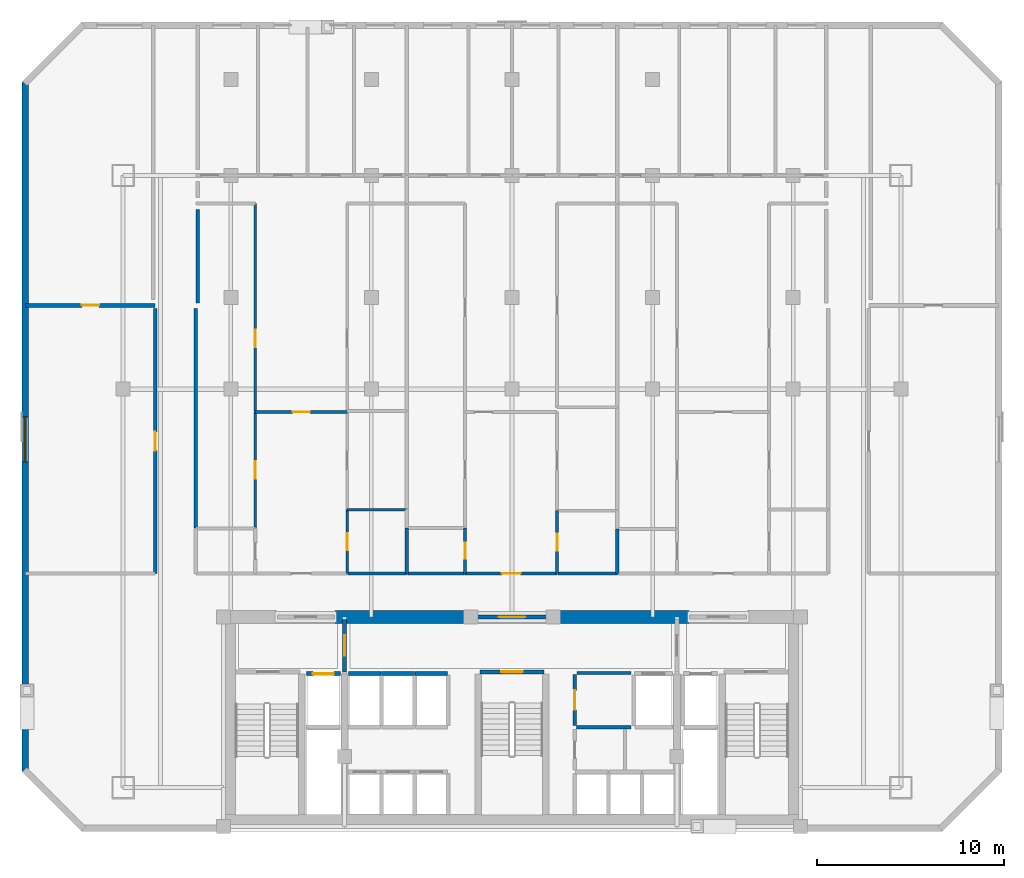
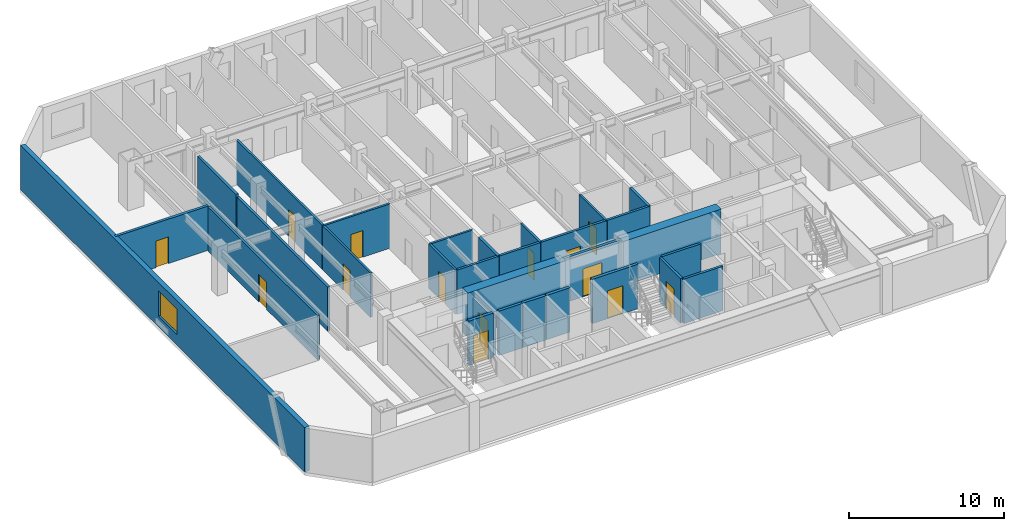
# One storey, part 3 of 8: 30 walls, 14 doors, 1 window, 15 openings.
"""IFC4 building model written with IfcOpenShell, lengths in metres."""

import ifcopenshell
import ifcopenshell.guid

model = None  # the IFC model being written
_history = None  # IfcOwnerHistory: only IFC2X3 demands one
_inside = {}  # id of a spatial element -> (the spatial element, [elements in it])
_under = {}  # id of a project, library or spatial element -> (it, [spatial elements below it])
_declared = {}  # id of a project -> (the project, [libraries it declares])
_typed = {}  # id of a type object -> (the type object, [elements of that type])
_made_of = {}  # id of a material, layer set ... -> (it, [elements and type objects made of it])


def new_model(schema):
    """Start an empty IFC model of exactly this schema.

    Asked for "IFC4X3", IfcOpenShell would pick the latest addendum, in which some entities
    have other attributes; the version numbers below select the first issue.
    IFC2X3 requires an IfcOwnerHistory on every rooted entity: one is made here for all.
    """
    global model, _history
    if schema == "IFC4X3":
        model = ifcopenshell.file(schema_version=(4, 3, 0, 0))
    else:
        model = ifcopenshell.file(schema=schema)
    _inside.clear()
    _under.clear()
    _declared.clear()
    _typed.clear()
    _made_of.clear()
    _history = None
    if model.schema == "IFC2X3":
        org = make("IfcOrganization", Name="unknown")
        user = make(
            "IfcPersonAndOrganization",
            ThePerson=make("IfcPerson", FamilyName="unknown"),
            TheOrganization=org,
        )
        app = make(
            "IfcApplication",
            ApplicationDeveloper=org,
            Version="unknown",
            ApplicationFullName="unknown",
            ApplicationIdentifier="unknown",
        )
        _history = make(
            "IfcOwnerHistory",
            OwningUser=user,
            OwningApplication=app,
            ChangeAction="ADDED",
            CreationDate=0,
        )
    return model


def make(cls, **values):
    """One entity of the class cls with the attributes given. An attribute that is None is left unset."""
    return model.create_entity(
        cls, **{name: value for name, value in values.items() if value is not None}
    )


def rooted(cls, **values):
    """An entity with a GlobalId (a new one), such as an element, a storey or a relation."""
    return make(cls, GlobalId=ifcopenshell.guid.new(), OwnerHistory=_history, **values)


def si_unit(unit_type, name, prefix=None):
    """IfcSIUnit, for example si_unit("LENGTHUNIT", "METRE", prefix="MILLI")."""
    return make("IfcSIUnit", UnitType=unit_type, Prefix=prefix, Name=name)


def assignment(units):
    """IfcUnitAssignment: the units of a project."""
    return None if units is None else make("IfcUnitAssignment", Units=units)


def point(xyz):
    """IfcCartesianPoint."""
    return None if xyz is None else make("IfcCartesianPoint", Coordinates=xyz)


def direction(xyz):
    """IfcDirection."""
    return None if xyz is None else make("IfcDirection", DirectionRatios=xyz)


def frame(location, z_axis=None, x_axis=None):
    """IfcAxis2Placement3D, a coordinate frame: its origin and axes. An axis left out is left unset."""
    return make(
        "IfcAxis2Placement3D",
        Location=point(location),
        Axis=direction(z_axis),
        RefDirection=direction(x_axis),
    )


def frame_2d(location, x_axis=None):
    """IfcAxis2Placement2D, a coordinate frame in the plane: its origin and x axis."""
    return make(
        "IfcAxis2Placement2D", Location=point(location), RefDirection=direction(x_axis)
    )


def origin():
    """The frame at (0, 0, 0) with its axes left unset."""
    return frame((0.0, 0.0, 0.0))


def place(relative_to, where):
    """IfcLocalPlacement: puts the frame where relative to a parent placement (None: the world)."""
    return make(
        "IfcLocalPlacement", PlacementRelTo=relative_to, RelativePlacement=where
    )


def context(
    kind, dimensions, precision=None, world=None, true_north=None, identifier=None
):
    """IfcGeometricRepresentationContext, for example the 3D "Model" context."""
    return make(
        "IfcGeometricRepresentationContext",
        ContextIdentifier=identifier,
        ContextType=kind,
        CoordinateSpaceDimension=dimensions,
        Precision=precision,
        WorldCoordinateSystem=world,
        TrueNorth=true_north,
    )


def subcontext(parent, identifier, kind, view, scale=None):
    """IfcGeometricRepresentationSubContext, for example "Body" below "Model"."""
    return make(
        "IfcGeometricRepresentationSubContext",
        ContextIdentifier=identifier,
        ContextType=kind,
        ParentContext=parent,
        TargetScale=scale,
        TargetView=view,
    )


def project(units=None, contexts=None):
    """IfcProject with its units and contexts."""
    return rooted(
        "IfcProject",
        Name="project",
        RepresentationContexts=contexts,
        UnitsInContext=assignment(units),
    )


def spatial(cls, under=None, at=None, **own):
    """A site, building, storey or space (cls), placed at a placement, below another one or the project."""
    s = rooted(cls, ObjectPlacement=at, **own)
    if under is not None:
        _under.setdefault(under.id(), (under, []))[1].append(s)
    return s


def profile(cls, at=None, kind="AREA", **sizes):
    """A parametric profile (cls). Its sizes go by their IFC names, for example OverallWidth=200.0."""
    return make(cls, ProfileType=kind, Position=at, **sizes)


def rectangle(**sizes):
    """IfcRectangleProfileDef."""
    return profile("IfcRectangleProfileDef", **sizes)


def extrude(swept, where, along, depth):
    """IfcExtrudedAreaSolid: the profile swept, set in the frame where, extruded along a direction by depth."""
    return make(
        "IfcExtrudedAreaSolid",
        SweptArea=swept,
        Position=where,
        ExtrudedDirection=direction(along),
        Depth=depth,
    )


def shape(context_of_items, identifier, shape_type, items):
    """IfcShapeRepresentation: the items that make up one representation, for example the "Body"."""
    return make(
        "IfcShapeRepresentation",
        ContextOfItems=context_of_items,
        RepresentationIdentifier=identifier,
        RepresentationType=shape_type,
        Items=items,
    )


def material(Name=None, Category=None):
    """IfcMaterial."""
    return make("IfcMaterial", Name=Name, Category=Category)


def layer(
    of_material, thickness, ventilated=None, Name=None, Category=None, Priority=None
):
    """IfcMaterialLayer: one layer of a wall or slab, of a material (None: an air gap)."""
    return make(
        "IfcMaterialLayer",
        Material=of_material,
        LayerThickness=thickness,
        IsVentilated=ventilated,
        Name=Name,
        Category=Category,
        Priority=Priority,
    )


def layer_set(layers, Name=None):
    """IfcMaterialLayerSet."""
    return make("IfcMaterialLayerSet", MaterialLayers=layers, LayerSetName=Name)


def made_of(thing, what):
    """Note that an element or type object is made of a material, layer set ...; save() writes the relation."""
    if what is not None:
        _made_of.setdefault(what.id(), (what, []))[1].append(thing)
    return thing


def type_object(cls, material=None, **own):
    """A type object (cls), such as IfcWallType, which elements share."""
    return made_of(rooted(cls, **own), material)


def element(
    cls,
    number,
    at=None,
    inside=None,
    cuts=None,
    type_object=None,
    material=None,
    context=None,
    identifier="Body",
    shape_type=None,
    held_by="IfcProductDefinitionShape",
    body=None,
    shapes=None,
    **own,
):
    """One element of the class cls, such as IfcWall. Its Tag is "e" and its number.

    at: its placement. inside: the storey or other place that contains it. cuts: it is an
    opening in that element (IfcRelVoidsElement). A single representation is given by context,
    identifier, shape_type and body (its items); several are given by shapes. held_by: the class
    of the entity that holds the representations. save() writes the other relations.
    """
    e = rooted(cls, Tag="e%d" % number, ObjectPlacement=at, **own)
    if body is not None:
        shapes = [shape(context, identifier, shape_type, body)]
    if shapes is not None:
        e.Representation = make(held_by, Representations=shapes)
    if inside is not None:
        _inside.setdefault(inside.id(), (inside, []))[1].append(e)
    if cuts is not None:
        rooted(
            "IfcRelVoidsElement", RelatingBuildingElement=cuts, RelatedOpeningElement=e
        )
    if type_object is not None:
        _typed.setdefault(type_object.id(), (type_object, []))[1].append(e)
    return made_of(e, material)


def fill(opening, filler):
    """IfcRelFillsElement: the door or window that sits in an opening."""
    return rooted(
        "IfcRelFillsElement",
        RelatingOpeningElement=opening,
        RelatedBuildingElement=filler,
    )


def aggregate(whole, parts):
    """IfcRelAggregates: a whole, such as a stair, and the parts it consists of."""
    return rooted("IfcRelAggregates", RelatingObject=whole, RelatedObjects=parts)


def save(model, path):
    """Write the relations noted so far, then the file.

    IfcRelAggregates (storeys below a building ...), IfcRelContainedInSpatialStructure (elements
    in a storey), IfcRelDefinesByType, IfcRelAssociatesMaterial and IfcRelDeclares: one each for
    every whole, place, type object, material and project.
    """
    for whole, parts in _under.values():
        aggregate(whole, parts)
    for where, things in _inside.values():
        rooted(
            "IfcRelContainedInSpatialStructure",
            RelatedElements=things,
            RelatingStructure=where,
        )
    for kind, things in _typed.values():
        rooted("IfcRelDefinesByType", RelatedObjects=things, RelatingType=kind)
    for what, things in _made_of.values():
        rooted("IfcRelAssociatesMaterial", RelatedObjects=things, RelatingMaterial=what)
    for by, libraries in _declared.values():
        rooted("IfcRelDeclares", RelatingContext=by, RelatedDefinitions=libraries)
    model.write(path)


model = new_model("IFC4")

# Units and contexts
model_context = context("Model", 3, precision=1e-05, world=origin(), true_north=direction((0.0, 1.0)))
body_context = subcontext(model_context, "Body", "Model", "MODEL_VIEW")
ifc_project = project(units=[si_unit("LENGTHUNIT", "METRE"), si_unit("AREAUNIT", "SQUARE_METRE"), si_unit("VOLUMEUNIT", "CUBIC_METRE"), si_unit("PLANEANGLEUNIT", "RADIAN"), si_unit("MASSUNIT", "GRAM", prefix="KILO")], contexts=[model_context])

# Site, building, storey
site_placement = place(None, origin())
site = spatial("IfcSite", under=ifc_project, at=site_placement, CompositionType="ELEMENT")
building_placement = place(site_placement, origin())
building = spatial("IfcBuilding", under=site, at=building_placement, Name="Ventersveld Concourse Tower", CompositionType="ELEMENT")
storey_placement = place(building_placement, frame((0.0, 0.0, 131.10009765625)))
storey = spatial("IfcBuildingStorey", under=building, at=storey_placement, Name="L32", CompositionType="ELEMENT", Elevation=131.10009765625)

# Walls
ifc_material_1 = material(Name="Concrete C60/75", Category="concrete")
ifc_layer_1 = layer(ifc_material_1, 0.699951171875)
ifc_layer_set_1 = layer_set([ifc_layer_1], Name="Concrete C60/75")
wall_type_1 = type_object("IfcWallType", Name="WL-CORE-700", PredefinedType="SHEAR", material=ifc_layer_set_1)
for number, where, z_axis, x_axis, name in (
    (1, (19.300048828125, 11.449951171875, 0.0), (0.0, 0.0, 1.0), (1.0, 0.0, 0.0), "L32 Rear Core North Shear Wall NML"),
    (2, (30.89990234375, 11.449951171875, 0.0), (0.0, 0.0, 1.0), (1.0, 0.0, 0.0), "L32 Rear Core North Shear Wall NMR"),
):
    element("IfcWall", number, at=place(storey_placement, frame(where, z_axis=z_axis, x_axis=x_axis)), inside=storey, type_object=wall_type_1, Name=name, PredefinedType="SHEAR", context=body_context, shape_type="SweptSolid", body=[
        extrude(rectangle(XDim=7.300048828125, YDim=0.699951171875, at=frame_2d((3.64990234375, 0.0))), origin(), (0.0, 0.0, 1.0), 3.5),
    ])

# Wall, opening, door
ifc_material_2 = material(Name="Fire-rated autoclaved aerated masonry blockwork", Category="masonry")
ifc_layer_2 = layer(ifc_material_2, 0.179931640625)
ifc_layer_set_2 = layer_set([ifc_layer_2], Name="Fire-rated autoclaved aerated masonry blockwork")
wall_type_2 = type_object("IfcWallType", Name="WL-CORR-180", PredefinedType="PARTITIONING", material=ifc_layer_set_2)
wall_1_placement = place(storey_placement, frame((32.10009765625, 5.64990234375, 0.0), z_axis=(0.0, 0.0, 1.0), x_axis=(0.0, 1.0, 0.0)))
wall_1 = element("IfcWall", 3, at=wall_1_placement, inside=storey, type_object=wall_type_2, Name="L32 Core Passage Wall SP-L32-CBAY1", PredefinedType="PARTITIONING", context=body_context, shape_type="SweptSolid", body=[
    extrude(rectangle(XDim=2.72998046875, YDim=0.179931640625, at=frame_2d((1.364990234375, 0.0))), origin(), (0.0, 0.0, 1.0), 3.5),
])
opening_1_placement = place(wall_1_placement, frame((0.840087890625, 0.0, 0.0)))
opening_1 = element("IfcOpeningElement", 4, at=opening_1_placement, cuts=wall_1, Name="Opening ID3", PredefinedType="OPENING", context=body_context, shape_type="SweptSolid", body=[
    extrude(rectangle(XDim=1.050048828125, YDim=2.14990234375, at=frame_2d((0.52490234375, 1.074951171875))), frame((0.0, 0.10009765625, 0.0), z_axis=(0.0, -1.0, 0.0), x_axis=(1.0, 0.0, 0.0)), (0.0, 0.0, 1.0), 0.199951171875),
])
ifc_material_3 = material(Name="Solid-core hardwood veneer timber", Category="wood")
door_type_1 = type_object("IfcDoorType", Name="DR-AWC-105", OperationType="NOTDEFINED", PredefinedType="DOOR", material=ifc_material_3)
door_1_placement = place(opening_1_placement, origin())
door_1 = element("IfcDoor", 5, at=door_1_placement, inside=storey, type_object=door_type_1, Name="L32 Core Room Door L32 Core Unisex Accessible WC (CD-L32-1592)", OperationType="SINGLE_SWING_LEFT", OverallHeight=2.14990234375, OverallWidth=1.050048828125, PredefinedType="DOOR", context=body_context, shape_type="SweptSolid", body=[
    extrude(rectangle(XDim=1.050048828125, YDim=2.14990234375, at=frame_2d((0.52490234375, 1.074951171875))), frame((0.0, 0.02490234375, 0.0), z_axis=(0.0, -1.0, 0.0), x_axis=(1.0, 0.0, 0.0)), (0.0, 0.0, 1.0), 0.050048828125),
])
fill(opening_1, door_1)

# Walls
wall_2_placement = place(storey_placement, frame((32.219970703125, 8.4599609375, 0.0), z_axis=(0.0, 0.0, 1.0), x_axis=(1.0, 0.0, 0.0)))
element("IfcWall", 6, at=wall_2_placement, inside=storey, type_object=wall_type_2, Name="L32 Core Top Wall SP-L32-CBAY1", PredefinedType="PARTITIONING", context=body_context, shape_type="SweptSolid", body=[
    extrude(rectangle(XDim=2.880126953125, YDim=0.179931640625, at=frame_2d((1.43994140625, 0.0))), origin(), (0.0, 0.0, 1.0), 3.5),
])
wall_3_placement = place(storey_placement, frame((32.179931640625, 5.570068359375, 0.0), z_axis=(0.0, 0.0, 1.0), x_axis=(1.0, 0.0, 0.0)))
element("IfcWall", 7, at=wall_3_placement, inside=storey, type_object=wall_type_2, Name="L32 Core Bot Wall SP-L32-CBAY1", PredefinedType="PARTITIONING", context=body_context, shape_type="SweptSolid", body=[
    extrude(rectangle(XDim=2.920166015625, YDim=0.179931640625, at=frame_2d((1.4599609375, 0.0))), origin(), (0.0, 0.0, 1.0), 3.5),
])

# Wall, opening, door
wall_4_placement = place(storey_placement, frame((9.7099609375, 13.764892578125, 0.0), z_axis=(0.0, 0.0, 1.0), x_axis=(0.0, 1.0, 0.0)))
wall_4 = element("IfcWall", 8, at=wall_4_placement, inside=storey, type_object=wall_type_2, Name="L32 Interior Partition SP-L32-COR-SP-L32-NWLNG1", PredefinedType="PARTITIONING", context=body_context, shape_type="SweptSolid", body=[
    extrude(rectangle(XDim=14.130126953125, YDim=0.179931640625, at=frame_2d((7.06494140625, 0.0))), origin(), (0.0, 0.0, 1.0), 3.5),
])
opening_2_placement = place(wall_4_placement, frame((6.56494140625, 0.0, 0.0)))
opening_2 = element("IfcOpeningElement", 9, at=opening_2_placement, cuts=wall_4, Name="Opening FD3", PredefinedType="OPENING", context=body_context, shape_type="SweptSolid", body=[
    extrude(rectangle(XDim=1.0, YDim=2.14990234375, at=frame_2d((0.5, 1.074951171875))), frame((0.0, 0.10009765625, 0.0), z_axis=(0.0, -1.0, 0.0), x_axis=(1.0, 0.0, 0.0)), (0.0, 0.0, 1.0), 0.199951171875),
])
door_type_2 = type_object("IfcDoorType", Name="DR-FLAT-100", OperationType="NOTDEFINED", PredefinedType="DOOR", material=ifc_material_3)
door_2_placement = place(opening_2_placement, origin())
door_2 = element("IfcDoor", 10, at=door_2_placement, inside=storey, type_object=door_type_2, Name="L32 Interior Door SP-L32-COR to SP-L32-NWLNG1 (D-L32-1594)", OperationType="SINGLE_SWING_RIGHT", OverallHeight=2.14990234375, OverallWidth=1.0, PredefinedType="DOOR", context=body_context, shape_type="SweptSolid", body=[
    extrude(rectangle(XDim=1.0, YDim=2.14990234375, at=frame_2d((0.5, 1.074951171875))), frame((0.0, 0.02490234375, 0.0), z_axis=(0.0, -1.0, 0.0), x_axis=(1.0, 0.0, 0.0)), (0.0, 0.0, 1.0), 0.050048828125),
])
fill(opening_2, door_2)

# Walls
wall_5_placement = place(storey_placement, frame((11.889892578125, 16.1953125, 0.0), z_axis=(0.0, 0.0, 1.0), x_axis=(0.0, 1.0, 0.0)))
element("IfcWall", 11, at=wall_5_placement, inside=storey, type_object=wall_type_2, Name="L32 Interior Partition SP-L32-COR-SP-L32-32N1-OFFL0", PredefinedType="PARTITIONING", context=body_context, shape_type="SweptSolid", body=[
    extrude(rectangle(XDim=11.69970703125, YDim=0.179931640625, at=frame_2d((5.849853515625, 0.0))), origin(), (0.0, 0.0, 1.0), 3.5),
])
wall_6_placement = place(storey_placement, frame((19.998779296875, 13.77001953125, 0.0), z_axis=(0.0, 0.0, 1.0), x_axis=(1.0, 0.0, 0.0)))
element("IfcWall", 12, at=wall_6_placement, inside=storey, type_object=wall_type_2, Name="L32 Interior Partition SP-L32-COR-SP-L32-32N1-KIT", PredefinedType="PARTITIONING", context=body_context, shape_type="SweptSolid", body=[
    extrude(rectangle(XDim=3.13623046875, YDim=0.179931640625, at=frame_2d((1.568115234375, 0.0))), origin(), (0.0, 0.0, 1.0), 3.5),
])

# Wall, opening, door
wall_7_placement = place(storey_placement, frame((26.2451171875, 13.77001953125, 0.0), z_axis=(0.0, 0.0, 1.0), x_axis=(1.0, 0.0, 0.0)))
wall_7 = element("IfcWall", 13, at=wall_7_placement, inside=storey, type_object=wall_type_2, Name="L32 Interior Partition SP-L32-COR-SP-L32-32N2-FOY", PredefinedType="PARTITIONING", context=body_context, shape_type="SweptSolid", body=[
    extrude(rectangle(XDim=4.917724609375, YDim=0.179931640625, at=frame_2d((2.458984375, 0.0))), origin(), (0.0, 0.0, 1.0), 3.5),
])
opening_3_placement = place(wall_7_placement, frame((1.958740234375, 0.0, 0.0)))
opening_3 = element("IfcOpeningElement", 14, at=opening_3_placement, cuts=wall_7, Name="Opening FD3", PredefinedType="OPENING", context=body_context, shape_type="SweptSolid", body=[
    extrude(rectangle(XDim=1.0, YDim=2.14990234375, at=frame_2d((0.5, 1.074951171875))), frame((0.0, 0.10009765625, 0.0), z_axis=(0.0, -1.0, 0.0), x_axis=(1.0, 0.0, 0.0)), (0.0, 0.0, 1.0), 0.199951171875),
])
door_3_placement = place(opening_3_placement, origin())
door_3 = element("IfcDoor", 15, at=door_3_placement, inside=storey, type_object=door_type_2, Name="L32 Interior Door SP-L32-COR to SP-L32-32N2-FOY (FD-L32-1597)", OperationType="SINGLE_SWING_LEFT", OverallHeight=2.14990234375, OverallWidth=1.0, PredefinedType="DOOR", context=body_context, shape_type="SweptSolid", body=[
    extrude(rectangle(XDim=1.0, YDim=2.14990234375, at=frame_2d((0.5, 1.074951171875))), frame((0.0, 0.02490234375, 0.0), z_axis=(0.0, -1.0, 0.0), x_axis=(1.0, 0.0, 0.0)), (0.0, 0.0, 1.0), 0.050048828125),
])
fill(opening_3, door_3)

# Walls
wall_8_placement = place(storey_placement, frame((23.1650390625, 13.77001953125, 0.0), z_axis=(0.0, 0.0, 1.0), x_axis=(1.0, 0.0, 0.0)))
element("IfcWall", 16, at=wall_8_placement, inside=storey, type_object=wall_type_2, Name="L32 Interior Partition SP-L32-COR-SP-L32-32N2-BATH", PredefinedType="PARTITIONING", context=body_context, shape_type="SweptSolid", body=[
    extrude(rectangle(XDim=3.050048828125, YDim=0.179931640625, at=frame_2d((1.52490234375, 0.0))), origin(), (0.0, 0.0, 1.0), 3.5),
])
wall_9_placement = place(storey_placement, frame((31.19287109375, 13.77001953125, 0.0), z_axis=(0.0, 0.0, 1.0), x_axis=(1.0, 0.0, 0.0)))
element("IfcWall", 17, at=wall_9_placement, inside=storey, type_object=wall_type_2, Name="L32 Interior Partition SP-L32-COR-SP-L32-32N2-KIT", PredefinedType="PARTITIONING", context=body_context, shape_type="SweptSolid", body=[
    extrude(rectangle(XDim=3.18212890625, YDim=0.179931640625, at=frame_2d((1.591064453125, 0.0))), origin(), (0.0, 0.0, 1.0), 3.5),
])
wall_10_placement = place(storey_placement, frame((11.97998046875, 28.2099609375, 0.0), z_axis=(0.0, 0.0, 1.0), x_axis=(0.0, 1.0, 0.0)))
element("IfcWall", 18, at=wall_10_placement, inside=storey, type_object=wall_type_2, Name="L32 Room Enclosure Wall SP-L32-32N1-OFFL0", PredefinedType="PARTITIONING", context=body_context, shape_type="SweptSolid", body=[
    extrude(rectangle(XDim=4.965087890625, YDim=0.179931640625, at=frame_2d((2.482421875, 0.0))), origin(), (0.0, 0.0, 1.0), 3.5),
])

# Wall, opening, door
ifc_layer_3 = layer(ifc_material_2, 0.199951171875)
ifc_layer_set_3 = layer_set([ifc_layer_3], Name="Fire-rated autoclaved aerated masonry blockwork")
wall_type_3 = type_object("IfcWallType", Name="WL-DEMISE-200", PredefinedType="PARTITIONING", material=ifc_layer_set_3)
wall_11_placement = place(storey_placement, frame((2.81005859375, 28.070068359375, 0.0), z_axis=(0.0, 0.0, 1.0), x_axis=(1.0, 0.0, 0.0)))
wall_11 = element("IfcWall", 19, at=wall_11_placement, inside=storey, type_object=wall_type_3, Name="L32 Interior Partition SP-L32-NWLNG1-SP-L32-NWLNG2", PredefinedType="PARTITIONING", context=body_context, shape_type="SweptSolid", body=[
    extrude(rectangle(XDim=6.905029296875, YDim=0.199951171875, at=frame_2d((3.45263671875, 0.0))), origin(), (0.0, 0.0, 1.0), 3.5),
])
opening_4_placement = place(wall_11_placement, frame((2.992431640625, 0.0, 0.0)))
opening_4 = element("IfcOpeningElement", 20, at=opening_4_placement, cuts=wall_11, Name="Opening ID1", PredefinedType="OPENING", context=body_context, shape_type="SweptSolid", body=[
    extrude(rectangle(XDim=0.919921875, YDim=2.10009765625, at=frame_2d((0.4599609375, 1.050048828125))), frame((0.0, 0.10986328125, 0.0), z_axis=(0.0, -1.0, 0.0), x_axis=(1.0, 0.0, 0.0)), (0.0, 0.0, 1.0), 0.219970703125),
])
door_type_3 = type_object("IfcDoorType", Name="DR-ROOM-092", OperationType="NOTDEFINED", PredefinedType="DOOR", material=ifc_material_3)
door_4_placement = place(opening_4_placement, origin())
door_4 = element("IfcDoor", 21, at=door_4_placement, inside=storey, type_object=door_type_3, Name="L32 Interior Door SP-L32-NWLNG1 to SP-L32-NWLNG2 (D-L32-1599)", OperationType="SINGLE_SWING_LEFT", OverallHeight=2.10009765625, OverallWidth=0.919921875, PredefinedType="DOOR", context=body_context, shape_type="SweptSolid", body=[
    extrude(rectangle(XDim=0.919921875, YDim=2.10009765625, at=frame_2d((0.4599609375, 1.050048828125))), frame((0.0, 0.02490234375, 0.0), z_axis=(0.0, -1.0, 0.0), x_axis=(1.0, 0.0, 0.0)), (0.0, 0.0, 1.0), 0.050048828125),
])
fill(opening_4, door_4)

# Walls
wall_12_placement = place(storey_placement, frame((23.1298828125, 13.764892578125, 0.0), z_axis=(0.0, 0.0, 1.0), x_axis=(0.0, 1.0, 0.0)))
element("IfcWall", 22, at=wall_12_placement, inside=storey, type_object=wall_type_3, Name="L32 Interior Partition SP-L32-32N1-KIT-SP-L32-32N2-BATH", PredefinedType="PARTITIONING", context=body_context, shape_type="SweptSolid", body=[
    extrude(rectangle(XDim=2.434814453125, YDim=0.199951171875, at=frame_2d((1.21728515625, 0.0))), origin(), (0.0, 0.0, 1.0), 3.5),
])
wall_13_placement = place(storey_placement, frame((34.3701171875, 13.764892578125, 0.0), z_axis=(0.0, 0.0, 1.0), x_axis=(0.0, 1.0, 0.0)))
element("IfcWall", 23, at=wall_13_placement, inside=storey, type_object=wall_type_3, Name="L32 Interior Partition SP-L32-32N2-KIT-SP-L32-32N3-BATH", PredefinedType="PARTITIONING", context=body_context, shape_type="SweptSolid", body=[
    extrude(rectangle(XDim=2.38330078125, YDim=0.199951171875, at=frame_2d((1.191650390625, 0.0))), origin(), (0.0, 0.0, 1.0), 3.5),
])

# Wall, opening, door
ifc_layer_4 = layer(ifc_material_2, 0.219970703125)
ifc_layer_set_4 = layer_set([ifc_layer_4], Name="Fire-rated autoclaved aerated masonry blockwork")
wall_type_4 = type_object("IfcWallType", Name="WL-HOIST-220", PredefinedType="SOLIDWALL", material=ifc_layer_set_4)
wall_14_placement = place(storey_placement, frame((17.780029296875, 8.429931640625, 0.0), z_axis=(0.0, 0.0, 1.0), x_axis=(1.0, 0.0, 0.0)))
wall_14 = element("IfcWall", 24, at=wall_14_placement, inside=storey, type_object=wall_type_4, Name="L32 Lift Hoistway Front Wall FFL-01", PredefinedType="SOLIDWALL", context=body_context, shape_type="SweptSolid", body=[
    extrude(rectangle(XDim=1.820068359375, YDim=0.219970703125, at=frame_2d((0.91015625, 0.0))), origin(), (0.0, 0.0, 1.0), 3.5),
])
opening_5_placement = place(wall_14_placement, frame((0.35009765625, 0.0, 0.0)))
opening_5 = element("IfcOpeningElement", 25, at=opening_5_placement, cuts=wall_14, Name="Opening LD1", PredefinedType="OPENING", context=body_context, shape_type="SweptSolid", body=[
    extrude(rectangle(XDim=1.1201171875, YDim=2.25, at=frame_2d((0.56005859375, 1.125))), frame((0.0, 0.1201171875, 0.0), z_axis=(0.0, -1.0, 0.0), x_axis=(1.0, 0.0, 0.0)), (0.0, 0.0, 1.0), 0.239990234375),
])
ifc_material_4 = material(Name="Brushed stainless steel 316", Category="steel")
door_type_4 = type_object("IfcDoorType", Name="LD-FF-112", OperationType="SLIDING_TO_LEFT", PredefinedType="DOOR", material=ifc_material_4)
door_5_placement = place(opening_5_placement, origin())
door_5 = element("IfcDoor", 26, at=door_5_placement, inside=storey, type_object=door_type_4, Name="L32 Lift landing door FFL-01 (LD-L32-FFL-01)", OperationType="SLIDING_TO_LEFT", OverallHeight=2.25, OverallWidth=1.1201171875, PredefinedType="DOOR", context=body_context, shape_type="SweptSolid", body=[
    extrude(rectangle(XDim=1.1201171875, YDim=2.25, at=frame_2d((0.56005859375, 1.125))), frame((0.0, 0.02490234375, 0.0), z_axis=(0.0, -1.0, 0.0), x_axis=(1.0, 0.0, 0.0)), (0.0, 0.0, 1.0), 0.050048828125),
])
fill(opening_5, door_5)

# Walls
for number, where, z_axis, x_axis, name in (
    (27, (20.02001953125, 8.429931640625, 0.0), (0.0, 0.0, 1.0), (1.0, 0.0, 0.0), "L32 Lift Hoistway Front Wall PH-01"),
    (28, (21.800048828125, 8.429931640625, 0.0), (0.0, 0.0, 1.0), (1.0, 0.0, 0.0), "L32 Lift Hoistway Front Wall PH-02"),
    (29, (23.580078125, 8.429931640625, 0.0), (0.0, 0.0, 1.0), (1.0, 0.0, 0.0), "L32 Lift Hoistway Front Wall PH-03"),
):
    element("IfcWall", number, at=place(storey_placement, frame(where, z_axis=z_axis, x_axis=x_axis)), inside=storey, type_object=wall_type_4, Name=name, PredefinedType="SOLIDWALL", context=body_context, shape_type="SweptSolid", body=[
        extrude(rectangle(XDim=1.739990234375, YDim=0.219970703125, at=frame_2d((0.8701171875, 0.0))), origin(), (0.0, 0.0, 1.0), 3.5),
    ])

# Wall, opening, door
wall_15_placement = place(storey_placement, frame((27.0400390625, 8.52001953125, 0.0), z_axis=(0.0, 0.0, 1.0), x_axis=(1.0, 0.0, 0.0)))
wall_15 = element("IfcWall", 30, at=wall_15_placement, inside=storey, type_object=wall_type_4, Name="L32 Escape Stair ST03 Fire Wall", PredefinedType="SOLIDWALL", context=body_context, shape_type="SweptSolid", body=[
    extrude(rectangle(XDim=3.419921875, YDim=0.219970703125, at=frame_2d((1.7099609375, 0.0))), origin(), (0.0, 0.0, 1.0), 3.5),
])
opening_6_placement = place(wall_15_placement, frame((1.135009765625, 0.0, 0.0)))
opening_6 = element("IfcOpeningElement", 31, at=opening_6_placement, cuts=wall_15, Name="Opening FD1", PredefinedType="OPENING", context=body_context, shape_type="SweptSolid", body=[
    extrude(rectangle(XDim=1.14990234375, YDim=2.199951171875, at=frame_2d((0.574951171875, 1.10009765625))), frame((0.0, 0.1201171875, 0.0), z_axis=(0.0, -1.0, 0.0), x_axis=(1.0, 0.0, 0.0)), (0.0, 0.0, 1.0), 0.239990234375),
])
ifc_material_5 = material(Name="Galvanised painted steel", Category="steel")
door_type_5 = type_object("IfcDoorType", Name="DR-STAIR-115", OperationType="NOTDEFINED", PredefinedType="DOOR", material=ifc_material_5)
door_6_placement = place(opening_6_placement, origin())
door_6 = element("IfcDoor", 32, at=door_6_placement, inside=storey, type_object=door_type_5, Name="L32 Escape Stair Door ST03 (SD-L32-1586)", OperationType="SINGLE_SWING_LEFT", OverallHeight=2.199951171875, OverallWidth=1.14990234375, PredefinedType="DOOR", context=body_context, shape_type="SweptSolid", body=[
    extrude(rectangle(XDim=1.14990234375, YDim=2.199951171875, at=frame_2d((0.574951171875, 1.10009765625))), frame((0.0, 0.02490234375, 0.0), z_axis=(0.0, -1.0, 0.0), x_axis=(1.0, 0.0, 0.0)), (0.0, 0.0, 1.0), 0.050048828125),
])
fill(opening_6, door_6)

wall_16_placement = place(storey_placement, frame((19.820068359375, 8.52001953125, 0.0), z_axis=(0.0, 0.0, 1.0), x_axis=(0.0, 1.0, 0.0)))
wall_16 = element("IfcWall", 33, at=wall_16_placement, inside=storey, type_object=wall_type_4, Name="L32 Firefighting Lobby Smoke-Stop Wall FFLW-SEP", PredefinedType="SOLIDWALL", context=body_context, shape_type="SweptSolid", body=[
    extrude(rectangle(XDim=2.800048828125, YDim=0.219970703125, at=frame_2d((1.39990234375, 0.0))), origin(), (0.0, 0.0, 1.0), 2.955322265625),
])
opening_7_placement = place(wall_16_placement, frame((0.85009765625, 0.0, 0.0)))
opening_7 = element("IfcOpeningElement", 34, at=opening_7_placement, cuts=wall_16, Name="Opening FD2", PredefinedType="OPENING", context=body_context, shape_type="SweptSolid", body=[
    extrude(rectangle(XDim=1.10009765625, YDim=2.199951171875, at=frame_2d((0.550048828125, 1.10009765625))), frame((0.0, 0.1201171875, 0.0), z_axis=(0.0, -1.0, 0.0), x_axis=(1.0, 0.0, 0.0)), (0.0, 0.0, 1.0), 0.239990234375),
])
door_type_6 = type_object("IfcDoorType", Name="DR-FFL-110", OperationType="NOTDEFINED", PredefinedType="DOOR", material=ifc_material_5)
door_7_placement = place(opening_7_placement, origin())
door_7 = element("IfcDoor", 35, at=door_7_placement, inside=storey, type_object=door_type_6, Name="L32 Firefighting Lobby Door FFLW-SEP (FD-L32-1587)", OperationType="SINGLE_SWING_LEFT", OverallHeight=2.199951171875, OverallWidth=1.10009765625, PredefinedType="DOOR", context=body_context, shape_type="SweptSolid", body=[
    extrude(rectangle(XDim=1.10009765625, YDim=2.199951171875, at=frame_2d((0.550048828125, 1.10009765625))), frame((0.0, 0.02490234375, 0.0), z_axis=(0.0, -1.0, 0.0), x_axis=(1.0, 0.0, 0.0)), (0.0, 0.0, 1.0), 0.050048828125),
])
fill(opening_7, door_7)

wall_17_placement = place(storey_placement, frame((26.6298828125, 11.449951171875, 0.0), z_axis=(0.0, 0.0, 1.0), x_axis=(1.0, 0.0, 0.0)))
wall_17 = element("IfcWall", 36, at=wall_17_placement, inside=storey, type_object=wall_type_4, Name="L32 Core North Fire Portal PLOB-OUT", PredefinedType="SOLIDWALL", context=body_context, shape_type="SweptSolid", body=[
    extrude(rectangle(XDim=4.240234375, YDim=0.219970703125, at=frame_2d((2.1201171875, 0.0))), origin(), (0.0, 0.0, 1.0), 3.5),
])
opening_8_placement = place(wall_17_placement, frame((1.419921875, 0.0, 0.0)))
opening_8 = element("IfcOpeningElement", 37, at=opening_8_placement, cuts=wall_17, Name="Opening FD4", PredefinedType="OPENING", context=body_context, shape_type="SweptSolid", body=[
    extrude(rectangle(XDim=1.39990234375, YDim=2.199951171875, at=frame_2d((0.699951171875, 1.10009765625))), frame((0.0, 0.1201171875, 0.0), z_axis=(0.0, -1.0, 0.0), x_axis=(1.0, 0.0, 0.0)), (0.0, 0.0, 1.0), 0.239990234375),
])
door_type_7 = type_object("IfcDoorType", Name="DR-PLANT-140", OperationType="DOUBLE_DOOR_SINGLE_SWING", PredefinedType="DOOR", material=ifc_material_5)
door_8_placement = place(opening_8_placement, origin())
door_8 = element("IfcDoor", 38, at=door_8_placement, inside=storey, type_object=door_type_7, Name="L32 Core Lobby Fire Door PLOB-OUT (FD-L32-1590)", OperationType="DOUBLE_DOOR_SINGLE_SWING", OverallHeight=2.199951171875, OverallWidth=1.39990234375, PredefinedType="DOOR", context=body_context, shape_type="SweptSolid", body=[
    extrude(rectangle(XDim=1.39990234375, YDim=2.199951171875, at=frame_2d((0.699951171875, 1.10009765625))), frame((0.0, 0.02490234375, 0.0), z_axis=(0.0, -1.0, 0.0), x_axis=(1.0, 0.0, 0.0)), (0.0, 0.0, 1.0), 0.050048828125),
])
fill(opening_8, door_8)

ifc_material_6 = material(Name="Autoclaved aerated masonry blockwork", Category="masonry")
ifc_layer_5 = layer(ifc_material_6, 0.14990234375)
ifc_layer_set_5 = layer_set([ifc_layer_5], Name="Autoclaved aerated masonry blockwork")
wall_type_5 = type_object("IfcWallType", Name="WL-INT-150", PredefinedType="PARTITIONING", material=ifc_layer_set_5)
wall_18_placement = place(storey_placement, frame((15.05126953125, 22.384521484375, 0.0), z_axis=(0.0, 0.0, 1.0), x_axis=(1.0, 0.0, 0.0)))
wall_18 = element("IfcWall", 39, at=wall_18_placement, inside=storey, type_object=wall_type_5, Name="L32 Interior Partition SP-L32-32N1-FOY-SP-L32-32N1-LIV", PredefinedType="PARTITIONING", context=body_context, shape_type="SweptSolid", body=[
    extrude(rectangle(XDim=4.91748046875, YDim=0.14990234375, at=frame_2d((2.458740234375, 0.0))), origin(), (0.0, 0.0, 1.0), 3.5),
])
opening_9_placement = place(wall_18_placement, frame((1.998779296875, 0.0, 0.0)))
opening_9 = element("IfcOpeningElement", 40, at=opening_9_placement, cuts=wall_18, Name="Opening ID1", PredefinedType="OPENING", context=body_context, shape_type="SweptSolid", body=[
    extrude(rectangle(XDim=0.919921875, YDim=2.10009765625, at=frame_2d((0.4599609375, 1.050048828125))), frame((0.0, 0.0849609375, 0.0), z_axis=(0.0, -1.0, 0.0), x_axis=(1.0, 0.0, 0.0)), (0.0, 0.0, 1.0), 0.169921875),
])
door_9_placement = place(opening_9_placement, origin())
door_9 = element("IfcDoor", 41, at=door_9_placement, inside=storey, type_object=door_type_3, Name="L32 Interior Door SP-L32-32N1-FOY to SP-L32-32N1-LIV (D-L32-1601)", OperationType="SINGLE_SWING_LEFT", OverallHeight=2.10009765625, OverallWidth=0.919921875, PredefinedType="DOOR", context=body_context, shape_type="SweptSolid", body=[
    extrude(rectangle(XDim=0.919921875, YDim=2.10009765625, at=frame_2d((0.4599609375, 1.050048828125))), frame((0.0, 0.02490234375, 0.0), z_axis=(0.0, -1.0, 0.0), x_axis=(1.0, 0.0, 0.0)), (0.0, 0.0, 1.0), 0.050048828125),
])
fill(opening_9, door_9)

wall_19_placement = place(storey_placement, frame((15.05615234375, 16.1953125, 0.0), z_axis=(0.0, 0.0, 1.0), x_axis=(0.0, 1.0, 0.0)))
wall_19 = element("IfcWall", 42, at=wall_19_placement, inside=storey, type_object=wall_type_5, Name="L32 Interior Partition SP-L32-32N1-FOY-SP-L32-32N1-OFFL0", PredefinedType="PARTITIONING", context=body_context, shape_type="SweptSolid", body=[
    extrude(rectangle(XDim=6.194091796875, YDim=0.14990234375, at=frame_2d((3.09716796875, 0.0))), origin(), (0.0, 0.0, 1.0), 3.5),
])
opening_10_placement = place(wall_19_placement, frame((2.63720703125, 0.0, 0.0)))
opening_10 = element("IfcOpeningElement", 43, at=opening_10_placement, cuts=wall_19, Name="Opening ID1", PredefinedType="OPENING", context=body_context, shape_type="SweptSolid", body=[
    extrude(rectangle(XDim=0.919921875, YDim=2.10009765625, at=frame_2d((0.4599609375, 1.050048828125))), frame((0.0, 0.0849609375, 0.0), z_axis=(0.0, -1.0, 0.0), x_axis=(1.0, 0.0, 0.0)), (0.0, 0.0, 1.0), 0.169921875),
])
door_10_placement = place(opening_10_placement, origin())
door_10 = element("IfcDoor", 44, at=door_10_placement, inside=storey, type_object=door_type_3, Name="L32 Interior Door SP-L32-32N1-FOY to SP-L32-32N1-OFFL0 (D-L32-1603)", OperationType="SINGLE_SWING_LEFT", OverallHeight=2.10009765625, OverallWidth=0.919921875, PredefinedType="DOOR", context=body_context, shape_type="SweptSolid", body=[
    extrude(rectangle(XDim=0.919921875, YDim=2.10009765625, at=frame_2d((0.4599609375, 1.050048828125))), frame((0.0, 0.02490234375, 0.0), z_axis=(0.0, -1.0, 0.0), x_axis=(1.0, 0.0, 0.0)), (0.0, 0.0, 1.0), 0.050048828125),
])
fill(opening_10, door_10)

wall_20_placement = place(storey_placement, frame((19.9638671875, 13.764892578125, 0.0), z_axis=(0.0, 0.0, 1.0), x_axis=(0.0, 1.0, 0.0)))
wall_20 = element("IfcWall", 45, at=wall_20_placement, inside=storey, type_object=wall_type_5, Name="L32 Interior Partition SP-L32-32N1-FOY-SP-L32-32N1-KIT", PredefinedType="PARTITIONING", context=body_context, shape_type="SweptSolid", body=[
    extrude(rectangle(XDim=3.405029296875, YDim=0.14990234375, at=frame_2d((1.70263671875, 0.0))), origin(), (0.0, 0.0, 1.0), 3.5),
])
opening_11_placement = place(wall_20_placement, frame((1.242431640625, 0.0, 0.0)))
opening_11 = element("IfcOpeningElement", 46, at=opening_11_placement, cuts=wall_20, Name="Opening ID1", PredefinedType="OPENING", context=body_context, shape_type="SweptSolid", body=[
    extrude(rectangle(XDim=0.919921875, YDim=2.10009765625, at=frame_2d((0.4599609375, 1.050048828125))), frame((0.0, 0.0849609375, 0.0), z_axis=(0.0, -1.0, 0.0), x_axis=(1.0, 0.0, 0.0)), (0.0, 0.0, 1.0), 0.169921875),
])
door_11_placement = place(opening_11_placement, origin())
door_11 = element("IfcDoor", 47, at=door_11_placement, inside=storey, type_object=door_type_3, Name="L32 Interior Door SP-L32-32N1-FOY to SP-L32-32N1-KIT (D-L32-1604)", OperationType="SINGLE_SWING_RIGHT", OverallHeight=2.10009765625, OverallWidth=0.919921875, PredefinedType="DOOR", context=body_context, shape_type="SweptSolid", body=[
    extrude(rectangle(XDim=0.919921875, YDim=2.10009765625, at=frame_2d((0.4599609375, 1.050048828125))), frame((0.0, 0.02490234375, 0.0), z_axis=(0.0, -1.0, 0.0), x_axis=(1.0, 0.0, 0.0)), (0.0, 0.0, 1.0), 0.050048828125),
])
fill(opening_11, door_11)

wall_21_placement = place(storey_placement, frame((15.05615234375, 22.41943359375, 0.0), z_axis=(0.0, 0.0, 1.0), x_axis=(0.0, 1.0, 0.0)))
wall_21 = element("IfcWall", 48, at=wall_21_placement, inside=storey, type_object=wall_type_5, Name="L32 Interior Partition SP-L32-32N1-LIV-SP-L32-32N1-OFFL0", PredefinedType="PARTITIONING", context=body_context, shape_type="SweptSolid", body=[
    extrude(rectangle(XDim=11.08544921875, YDim=0.14990234375, at=frame_2d((5.542724609375, 0.0))), origin(), (0.0, 0.0, 1.0), 3.5),
])
opening_12_placement = place(wall_21_placement, frame((3.419921875, 0.0, 0.0)))
opening_12 = element("IfcOpeningElement", 49, at=opening_12_placement, cuts=wall_21, Name="Opening ID1", PredefinedType="OPENING", context=body_context, shape_type="SweptSolid", body=[
    extrude(rectangle(XDim=0.919921875, YDim=2.10009765625, at=frame_2d((0.4599609375, 1.050048828125))), frame((0.0, 0.0849609375, 0.0), z_axis=(0.0, -1.0, 0.0), x_axis=(1.0, 0.0, 0.0)), (0.0, 0.0, 1.0), 0.169921875),
])
door_12_placement = place(opening_12_placement, origin())
door_12 = element("IfcDoor", 50, at=door_12_placement, inside=storey, type_object=door_type_3, Name="L32 Interior Door SP-L32-32N1-LIV to SP-L32-32N1-OFFL0 (D-L32-1606)", OperationType="SINGLE_SWING_RIGHT", OverallHeight=2.10009765625, OverallWidth=0.919921875, PredefinedType="DOOR", context=body_context, shape_type="SweptSolid", body=[
    extrude(rectangle(XDim=0.919921875, YDim=2.10009765625, at=frame_2d((0.4599609375, 1.050048828125))), frame((0.0, 0.02490234375, 0.0), z_axis=(0.0, -1.0, 0.0), x_axis=(1.0, 0.0, 0.0)), (0.0, 0.0, 1.0), 0.050048828125),
])
fill(opening_12, door_12)

# Wall
wall_22_placement = place(storey_placement, frame((19.958740234375, 17.164794921875, 0.0), z_axis=(0.0, 0.0, 1.0), x_axis=(1.0, 0.0, 0.0)))
element("IfcWall", 51, at=wall_22_placement, inside=storey, type_object=wall_type_5, Name="L32 Interior Partition SP-L32-32N1-KIT-SP-L32-32N1-SEMR1", PredefinedType="PARTITIONING", context=body_context, shape_type="SweptSolid", body=[
    extrude(rectangle(XDim=3.17626953125, YDim=0.14990234375, at=frame_2d((1.588134765625, 0.0))), origin(), (0.0, 0.0, 1.0), 3.5),
])

# Wall, opening, door
wall_23_placement = place(storey_placement, frame((31.15771484375, 13.764892578125, 0.0), z_axis=(0.0, 0.0, 1.0), x_axis=(0.0, 1.0, 0.0)))
wall_23 = element("IfcWall", 52, at=wall_23_placement, inside=storey, type_object=wall_type_5, Name="L32 Interior Partition SP-L32-32N2-FOY-SP-L32-32N2-KIT", PredefinedType="PARTITIONING", context=body_context, shape_type="SweptSolid", body=[
    extrude(rectangle(XDim=3.356201171875, YDim=0.14990234375, at=frame_2d((1.67822265625, 0.0))), origin(), (0.0, 0.0, 1.0), 3.5),
])
opening_13_placement = place(wall_23_placement, frame((1.218017578125, 0.0, 0.0)))
opening_13 = element("IfcOpeningElement", 53, at=opening_13_placement, cuts=wall_23, Name="Opening ID1", PredefinedType="OPENING", context=body_context, shape_type="SweptSolid", body=[
    extrude(rectangle(XDim=0.919921875, YDim=2.10009765625, at=frame_2d((0.4599609375, 1.050048828125))), frame((0.0, 0.0849609375, 0.0), z_axis=(0.0, -1.0, 0.0), x_axis=(1.0, 0.0, 0.0)), (0.0, 0.0, 1.0), 0.169921875),
])
door_13_placement = place(opening_13_placement, origin())
door_13 = element("IfcDoor", 54, at=door_13_placement, inside=storey, type_object=door_type_3, Name="L32 Interior Door SP-L32-32N2-FOY to SP-L32-32N2-KIT (D-L32-1615)", OperationType="SINGLE_SWING_LEFT", OverallHeight=2.10009765625, OverallWidth=0.919921875, PredefinedType="DOOR", context=body_context, shape_type="SweptSolid", body=[
    extrude(rectangle(XDim=0.919921875, YDim=2.10009765625, at=frame_2d((0.4599609375, 1.050048828125))), frame((0.0, 0.02490234375, 0.0), z_axis=(0.0, -1.0, 0.0), x_axis=(1.0, 0.0, 0.0)), (0.0, 0.0, 1.0), 0.050048828125),
])
fill(opening_13, door_13)

# Wall, opening, window
ifc_material_7 = material(Name="Precast concrete C45/55", Category="concrete")
ifc_layer_6 = layer(ifc_material_7, 0.35009765625)
ifc_layer_set_6 = layer_set([ifc_layer_6], Name="Precast concrete C45/55")
wall_type_6 = type_object("IfcWallType", Name="WL-PREC-350", PredefinedType="SOLIDWALL", material=ifc_layer_set_6)
wall_24_placement = place(storey_placement, frame((2.77490234375, 39.9599609375, 0.0), z_axis=(0.0, 0.0, 1.0), x_axis=(0.0, -1.0, 0.0)))
wall_24 = element("IfcWall", 55, at=wall_24_placement, inside=storey, type_object=wall_type_6, Name="L32 Highveld Precast Facade Wall E07", PredefinedType="SOLIDWALL", context=body_context, shape_type="SweptSolid", body=[
    extrude(rectangle(XDim=36.719970703125, YDim=0.35009765625, at=frame_2d((18.35986328125, 0.0))), origin(), (0.0, 0.0, 1.0), 3.5),
])
opening_14_placement = place(wall_24_placement, frame((17.840087890625, 0.0, 0.85009765625)))
opening_14 = element("IfcOpeningElement", 56, at=opening_14_placement, cuts=wall_24, Name="Opening W5", PredefinedType="OPENING", context=body_context, shape_type="SweptSolid", body=[
    extrude(rectangle(XDim=2.39990234375, YDim=2.0, at=frame_2d((1.199951171875, 1.0))), frame((0.0, 0.18505859375, 0.0), z_axis=(0.0, -1.0, 0.0), x_axis=(1.0, 0.0, 0.0)), (0.0, 0.0, 1.0), 0.3701171875),
])
ifc_material_8 = material(Name="Tempered acoustic Low-E IGU", Category="glass")
window_type = type_object("IfcWindowType", Name="WIN-240x210", PartitioningType="SINGLE_PANEL", PredefinedType="WINDOW", material=ifc_material_8)
window_placement = place(opening_14_placement, origin())
window = element("IfcWindow", 57, at=window_placement, inside=storey, type_object=window_type, Name="L32 Punched Low-E Window W-0413", OverallHeight=2.0, OverallWidth=2.39990234375, PartitioningType="SINGLE_PANEL", PredefinedType="WINDOW", context=body_context, shape_type="SweptSolid", body=[
    extrude(rectangle(XDim=2.39990234375, YDim=2.0, at=frame_2d((1.199951171875, 1.0))), frame((0.0, 0.030029296875, 0.0), z_axis=(0.0, -1.0, 0.0), x_axis=(1.0, 0.0, 0.0)), (0.0, 0.0, 1.0), 0.06005859375),
])
fill(opening_14, window)

# Wall, opening, door
ifc_layer_7 = layer(ifc_material_6, 0.1650390625)
ifc_layer_set_7 = layer_set([ifc_layer_7], Name="Autoclaved aerated masonry blockwork")
wall_type_7 = type_object("IfcWallType", Name="WL-WET-165", PredefinedType="PLUMBINGWALL", material=ifc_layer_set_7)
wall_25_placement = place(storey_placement, frame((26.250244140625, 13.764892578125, 0.0), z_axis=(0.0, 0.0, 1.0), x_axis=(0.0, 1.0, 0.0)))
wall_25 = element("IfcWall", 58, at=wall_25_placement, inside=storey, type_object=wall_type_7, Name="L32 Interior Partition SP-L32-32N2-FOY-SP-L32-32N2-BATH", PredefinedType="PLUMBINGWALL", context=body_context, shape_type="SweptSolid", body=[
    extrude(rectangle(XDim=2.434814453125, YDim=0.1650390625, at=frame_2d((1.21728515625, 0.0))), origin(), (0.0, 0.0, 1.0), 3.5),
])
opening_15_placement = place(wall_25_placement, frame((0.792236328125, 0.0, 0.0)))
opening_15 = element("IfcOpeningElement", 59, at=opening_15_placement, cuts=wall_25, Name="Opening ID2", PredefinedType="OPENING", context=body_context, shape_type="SweptSolid", body=[
    extrude(rectangle(XDim=0.85009765625, YDim=2.10009765625, at=frame_2d((0.425048828125, 1.050048828125))), frame((0.0, 0.092529296875, 0.0), z_axis=(0.0, -1.0, 0.0), x_axis=(1.0, 0.0, 0.0)), (0.0, 0.0, 1.0), 0.18505859375),
])
door_type_8 = type_object("IfcDoorType", Name="DR-BATH-085", OperationType="NOTDEFINED", PredefinedType="DOOR", material=ifc_material_3)
door_14_placement = place(opening_15_placement, origin())
door_14 = element("IfcDoor", 60, at=door_14_placement, inside=storey, type_object=door_type_8, Name="L32 Interior Door SP-L32-32N2-FOY to SP-L32-32N2-BATH (D-L32-1613)", OperationType="SINGLE_SWING_LEFT", OverallHeight=2.10009765625, OverallWidth=0.85009765625, PredefinedType="DOOR", context=body_context, shape_type="SweptSolid", body=[
    extrude(rectangle(XDim=0.85009765625, YDim=2.10009765625, at=frame_2d((0.425048828125, 1.050048828125))), frame((0.0, 0.02490234375, 0.0), z_axis=(0.0, -1.0, 0.0), x_axis=(1.0, 0.0, 0.0)), (0.0, 0.0, 1.0), 0.050048828125),
])
fill(opening_15, door_14)

save(model, "model.ifc")
